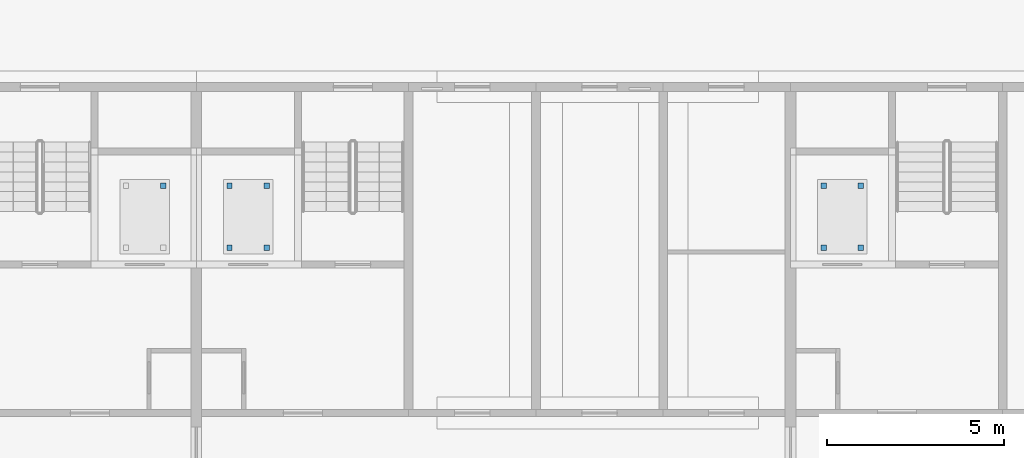
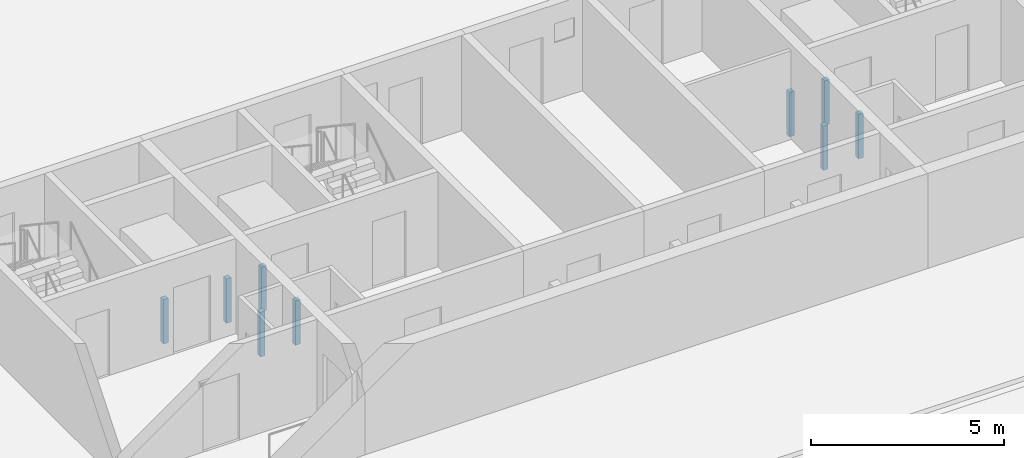
# One storey, part 80 of 112: 9 discrete accessories.
"""IFC4 building model written with IfcOpenShell, lengths in metres."""

from ifc_helpers import new_model, si_unit, direction, frame, origin, origin_2d, place, context, subcontext, project, spatial, rectangle, extrude, material, type_object, element, save


model = new_model("IFC4")

# Units and contexts
model_context = context("Model", 3, precision=1e-05, world=origin(), true_north=direction((0.0, 1.0)))
body_context = subcontext(model_context, "Body", "Model", "MODEL_VIEW")
ifc_project = project(units=[si_unit("LENGTHUNIT", "METRE"), si_unit("AREAUNIT", "SQUARE_METRE"), si_unit("VOLUMEUNIT", "CUBIC_METRE"), si_unit("PLANEANGLEUNIT", "RADIAN"), si_unit("MASSUNIT", "GRAM", prefix="KILO")], contexts=[model_context])

# Site, building, storey
site_placement = place(None, origin())
site = spatial("IfcSite", under=ifc_project, at=site_placement, CompositionType="ELEMENT")
building_placement = place(site_placement, origin())
building = spatial("IfcBuilding", under=site, at=building_placement, Name="Ridgestep Commons", CompositionType="ELEMENT")
storey_placement = place(building_placement, origin())
storey = spatial("IfcBuildingStorey", under=building, at=storey_placement, Name="L00", CompositionType="ELEMENT", Elevation=0.0)

# Discrete accessories
ifc_material = material(Name="Structural steel S355JR", Category="steel")
discrete_accessory_type = type_object("IfcDiscreteAccessoryType", Name="Lift buffer stand 150 x 150", PredefinedType="BRACKET", material=ifc_material)
for number, where, z_axis, x_axis, name in (
    (1, (213.0625, 20.074951171875, -1.39990234375), (0.0, 0.0, 1.0), (1.0, 0.0, 0.0), "Lift buffer stand D4C 4"),
    (2, (214.9375, 18.324951171875, -1.39990234375), (0.0, 0.0, 1.0), (1.0, 0.0, 0.0), "Lift buffer stand D5C 1"),
    (3, (215.987548828125, 18.324951171875, -1.39990234375), (0.0, 0.0, 1.0), (1.0, 0.0, 0.0), "Lift buffer stand D5C 2"),
    (4, (214.9375, 20.074951171875, -1.39990234375), (0.0, 0.0, 1.0), (1.0, 0.0, 0.0), "Lift buffer stand D5C 3"),
    (5, (215.987548828125, 20.074951171875, -1.39990234375), (0.0, 0.0, 1.0), (1.0, 0.0, 0.0), "Lift buffer stand D5C 4"),
    (6, (231.737548828125, 18.324951171875, -1.39990234375), (0.0, 0.0, 1.0), (1.0, 0.0, 0.0), "Lift buffer stand D6C 1"),
    (7, (232.78759765625, 18.324951171875, -1.39990234375), (0.0, 0.0, 1.0), (1.0, 0.0, 0.0), "Lift buffer stand D6C 2"),
    (8, (231.737548828125, 20.074951171875, -1.39990234375), (0.0, 0.0, 1.0), (1.0, 0.0, 0.0), "Lift buffer stand D6C 3"),
    (9, (232.78759765625, 20.074951171875, -1.39990234375), (0.0, 0.0, 1.0), (1.0, 0.0, 0.0), "Lift buffer stand D6C 4"),
):
    element("IfcDiscreteAccessory", number, at=place(storey_placement, frame(where, z_axis=z_axis, x_axis=x_axis)), inside=storey, type_object=discrete_accessory_type, Name=name, PredefinedType="BRACKET", context=body_context, shape_type="SweptSolid", body=[
        extrude(rectangle(XDim=0.14990234375, YDim=0.14990234375, at=origin_2d()), origin(), (0.0, 0.0, 1.0), 1.39990234375),
    ])

save(model, "model.ifc")
